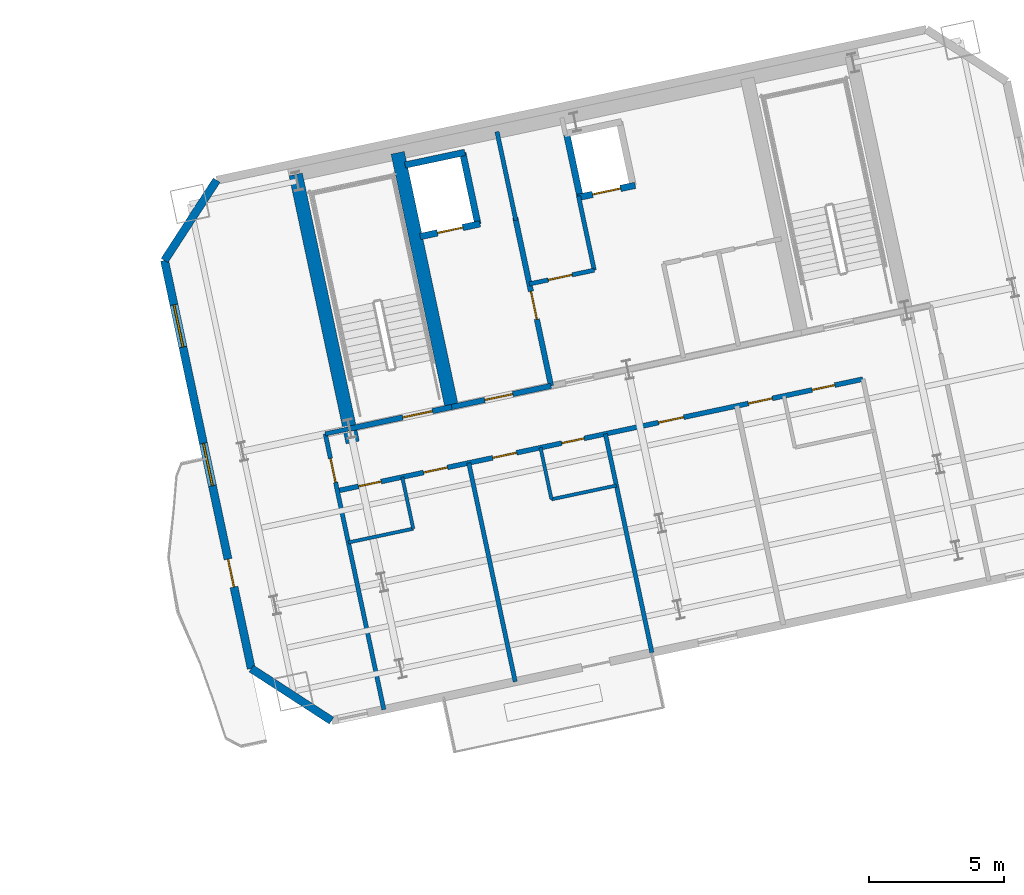
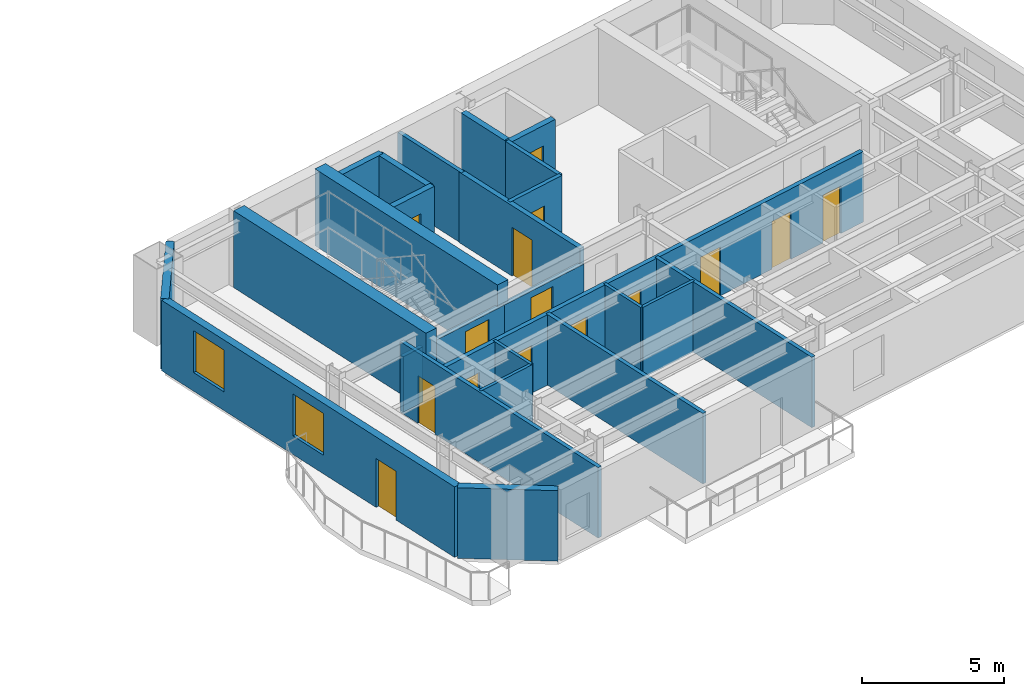
# One storey, part 7 of 13: 25 walls, 15 doors, 2 windows, 17 openings.
"""IFC4 building model written with IfcOpenShell, lengths in metres."""

from ifc_helpers import new_model, si_unit, direction, frame, frame_2d, origin, place, context, subcontext, project, spatial, rectangle, extrude, material, layer, layer_set, type_object, element, fill, save


model = new_model("IFC4")

# Units and contexts
model_context = context("Model", 3, precision=1e-05, world=origin(), true_north=direction((0.0, 1.0)))
body_context = subcontext(model_context, "Body", "Model", "MODEL_VIEW")
ifc_project = project(units=[si_unit("LENGTHUNIT", "METRE"), si_unit("AREAUNIT", "SQUARE_METRE"), si_unit("VOLUMEUNIT", "CUBIC_METRE"), si_unit("PLANEANGLEUNIT", "RADIAN"), si_unit("MASSUNIT", "GRAM", prefix="KILO")], contexts=[model_context])

# Site, building, storey
site_placement = place(None, origin())
site = spatial("IfcSite", under=ifc_project, at=site_placement, CompositionType="ELEMENT")
building_placement = place(site_placement, origin())
building = spatial("IfcBuilding", under=site, at=building_placement, Name="Haevon Station Towers", CompositionType="ELEMENT")
storey_placement = place(building_placement, frame((0.0, 0.0, 159.300048828125)))
storey = spatial("IfcBuildingStorey", under=building, at=storey_placement, Name="L43", CompositionType="ELEMENT", Elevation=159.300048828125)

# Wall, openings, doors
ifc_material_1 = material(Name="Gypsum board on steel stud", Category="steel")
ifc_layer_1 = layer(ifc_material_1, 0.179931640625)
ifc_layer_set_1 = layer_set([ifc_layer_1], Name="Gypsum board on steel stud")
wall_type_1 = type_object("IfcWallType", Name="WL-ACU180", PredefinedType="PARTITIONING", material=ifc_layer_set_1)
wall_1_placement = place(storey_placement, frame((98.294677734375, 35.14697265625, 0.0), z_axis=(0.0, 0.0, 1.0), x_axis=(0.978144966383, 0.207924084078, 0.0)))
wall_1 = element("IfcWall", 1, at=wall_1_placement, inside=storey, type_object=wall_type_1, Name="WL-T2PT-L43-15", PredefinedType="PARTITIONING", context=body_context, shape_type="SweptSolid", body=[
    extrude(rectangle(XDim=19.8447265625, YDim=0.179931640625, at=frame_2d((9.92236328125, 0.0))), origin(), (0.0, 0.0, 1.0), 3.030029296875),
])
opening_1_placement = place(wall_1_placement, frame((0.800048828125, 0.0, 0.0)))
opening_1 = element("IfcOpeningElement", 2, at=opening_1_placement, cuts=wall_1, Name="Opening DR-WL-T2PT-L43-15-01", PredefinedType="OPENING", context=body_context, shape_type="SweptSolid", body=[
    extrude(rectangle(XDim=0.85009765625, YDim=2.050048828125, at=frame_2d((0.425048828125, 1.02490234375))), frame((0.0, 0.099853515625, 0.0), z_axis=(0.0, -1.0, 0.0), x_axis=(1.0, 0.0, 0.0)), (0.0, 0.0, 1.0), 0.199951171875),
])
opening_2_placement = place(wall_1_placement, frame((3.256103515625, 0.0, 0.0)))
opening_2 = element("IfcOpeningElement", 3, at=opening_2_placement, cuts=wall_1, Name="Opening DR-WL-T2PT-L43-15-02", PredefinedType="OPENING", context=body_context, shape_type="SweptSolid", body=[
    extrude(rectangle(XDim=0.89990234375, YDim=2.050048828125, at=frame_2d((0.449951171875, 1.02490234375))), frame((0.0, 0.099853515625, 0.0), z_axis=(0.0, -1.0, 0.0), x_axis=(1.0, 0.0, 0.0)), (0.0, 0.0, 1.0), 0.199951171875),
])
opening_3_placement = place(wall_1_placement, frame((8.470947265625, 0.0, 0.0)))
opening_3 = element("IfcOpeningElement", 4, at=opening_3_placement, cuts=wall_1, Name="Opening DR-WL-T2PT-L43-15-03", PredefinedType="OPENING", context=body_context, shape_type="SweptSolid", body=[
    extrude(rectangle(XDim=0.85009765625, YDim=2.050048828125, at=frame_2d((0.425048828125, 1.02490234375))), frame((0.0, 0.099853515625, 0.0), z_axis=(0.0, -1.0, 0.0), x_axis=(1.0, 0.0, 0.0)), (0.0, 0.0, 1.0), 0.199951171875),
])
opening_4_placement = place(wall_1_placement, frame((5.865966796875, 0.0, 0.0)))
opening_4 = element("IfcOpeningElement", 5, at=opening_4_placement, cuts=wall_1, Name="Opening DR-WL-T2PT-L43-15-04", PredefinedType="OPENING", context=body_context, shape_type="SweptSolid", body=[
    extrude(rectangle(XDim=0.89990234375, YDim=2.050048828125, at=frame_2d((0.449951171875, 1.02490234375))), frame((0.0, 0.099853515625, 0.0), z_axis=(0.0, -1.0, 0.0), x_axis=(1.0, 0.0, 0.0)), (0.0, 0.0, 1.0), 0.199951171875),
])
opening_5_placement = place(wall_1_placement, frame((12.126953125, 0.0, 0.0)))
opening_5 = element("IfcOpeningElement", 6, at=opening_5_placement, cuts=wall_1, Name="Opening DR-WL-T2PT-L43-15-05", PredefinedType="OPENING", context=body_context, shape_type="SweptSolid", body=[
    extrude(rectangle(XDim=0.949951171875, YDim=2.10009765625, at=frame_2d((0.47509765625, 1.050048828125))), frame((0.0, 0.099853515625, 0.0), z_axis=(0.0, -1.0, 0.0), x_axis=(1.0, 0.0, 0.0)), (0.0, 0.0, 1.0), 0.199951171875),
])
opening_6_placement = place(wall_1_placement, frame((17.928955078125, 0.0, 0.0)))
opening_6 = element("IfcOpeningElement", 7, at=opening_6_placement, cuts=wall_1, Name="Opening DR-WL-T2PT-L43-15-06", PredefinedType="OPENING", context=body_context, shape_type="SweptSolid", body=[
    extrude(rectangle(XDim=0.85009765625, YDim=2.050048828125, at=frame_2d((0.425048828125, 1.02490234375))), frame((0.0, 0.099853515625, 0.0), z_axis=(0.0, -1.0, 0.0), x_axis=(1.0, 0.0, 0.0)), (0.0, 0.0, 1.0), 0.199951171875),
])
opening_7_placement = place(wall_1_placement, frame((15.52197265625, 0.0, 0.0)))
opening_7 = element("IfcOpeningElement", 8, at=opening_7_placement, cuts=wall_1, Name="Opening DR-WL-T2PT-L43-15-07", PredefinedType="OPENING", context=body_context, shape_type="SweptSolid", body=[
    extrude(rectangle(XDim=0.89990234375, YDim=2.050048828125, at=frame_2d((0.449951171875, 1.02490234375))), frame((0.0, 0.099853515625, 0.0), z_axis=(0.0, -1.0, 0.0), x_axis=(1.0, 0.0, 0.0)), (0.0, 0.0, 1.0), 0.199951171875),
])
ifc_material_2 = material(Name="Engineered oak timber", Category="wood")
door_type_1 = type_object("IfcDoorType", Name="DR-FD30-850", OperationType="NOTDEFINED", PredefinedType="DOOR", material=ifc_material_2)
door_1_placement = place(opening_1_placement, origin())
door_1 = element("IfcDoor", 9, at=door_1_placement, inside=storey, type_object=door_type_1, Name="L43 Tower 2 Room Door 15-1", OperationType="SINGLE_SWING_RIGHT", OverallHeight=2.050048828125, OverallWidth=0.85009765625, PredefinedType="DOOR", context=body_context, shape_type="SweptSolid", body=[
    extrude(rectangle(XDim=0.85009765625, YDim=2.050048828125, at=frame_2d((0.425048828125, 1.02490234375))), frame((0.0, 0.02490234375, 0.0), z_axis=(0.0, -1.0, 0.0), x_axis=(1.0, 0.0, 0.0)), (0.0, 0.0, 1.0), 0.050048828125),
])
fill(opening_1, door_1)
door_2_placement = place(opening_3_placement, origin())
door_2 = element("IfcDoor", 10, at=door_2_placement, inside=storey, type_object=door_type_1, Name="L43 Tower 2 Room Door 15-3", OperationType="SINGLE_SWING_RIGHT", OverallHeight=2.050048828125, OverallWidth=0.85009765625, PredefinedType="DOOR", context=body_context, shape_type="SweptSolid", body=[
    extrude(rectangle(XDim=0.85009765625, YDim=2.050048828125, at=frame_2d((0.425048828125, 1.02490234375))), frame((0.0, 0.02490234375, 0.0), z_axis=(0.0, -1.0, 0.0), x_axis=(1.0, 0.0, 0.0)), (0.0, 0.0, 1.0), 0.050048828125),
])
fill(opening_3, door_2)
door_3_placement = place(opening_6_placement, origin())
door_3 = element("IfcDoor", 11, at=door_3_placement, inside=storey, type_object=door_type_1, Name="L43 Tower 2 Room Door 15-6", OperationType="SINGLE_SWING_LEFT", OverallHeight=2.050048828125, OverallWidth=0.85009765625, PredefinedType="DOOR", context=body_context, shape_type="SweptSolid", body=[
    extrude(rectangle(XDim=0.85009765625, YDim=2.050048828125, at=frame_2d((0.425048828125, 1.02490234375))), frame((0.0, 0.02490234375, 0.0), z_axis=(0.0, -1.0, 0.0), x_axis=(1.0, 0.0, 0.0)), (0.0, 0.0, 1.0), 0.050048828125),
])
fill(opening_6, door_3)
door_type_2 = type_object("IfcDoorType", Name="DR-FD30-950", OperationType="NOTDEFINED", PredefinedType="DOOR", material=ifc_material_2)
door_4_placement = place(opening_5_placement, origin())
door_4 = element("IfcDoor", 12, at=door_4_placement, inside=storey, type_object=door_type_2, Name="L43 Tower 2 Room Door 15-5", OperationType="SINGLE_SWING_RIGHT", OverallHeight=2.10009765625, OverallWidth=0.949951171875, PredefinedType="DOOR", context=body_context, shape_type="SweptSolid", body=[
    extrude(rectangle(XDim=0.949951171875, YDim=2.10009765625, at=frame_2d((0.47509765625, 1.050048828125))), frame((0.0, 0.02490234375, 0.0), z_axis=(0.0, -1.0, 0.0), x_axis=(1.0, 0.0, 0.0)), (0.0, 0.0, 1.0), 0.050048828125),
])
fill(opening_5, door_4)
door_type_3 = type_object("IfcDoorType", Name="DR-INT-900", OperationType="NOTDEFINED", PredefinedType="DOOR", material=ifc_material_2)
door_5_placement = place(opening_2_placement, origin())
door_5 = element("IfcDoor", 13, at=door_5_placement, inside=storey, type_object=door_type_3, Name="L43 Tower 2 Room Door 15-2", OperationType="SINGLE_SWING_LEFT", OverallHeight=2.050048828125, OverallWidth=0.89990234375, PredefinedType="DOOR", context=body_context, shape_type="SweptSolid", body=[
    extrude(rectangle(XDim=0.89990234375, YDim=2.050048828125, at=frame_2d((0.449951171875, 1.02490234375))), frame((0.0, 0.02490234375, 0.0), z_axis=(0.0, -1.0, 0.0), x_axis=(1.0, 0.0, 0.0)), (0.0, 0.0, 1.0), 0.050048828125),
])
fill(opening_2, door_5)
door_6_placement = place(opening_4_placement, origin())
door_6 = element("IfcDoor", 14, at=door_6_placement, inside=storey, type_object=door_type_3, Name="L43 Tower 2 Room Door 15-4", OperationType="SINGLE_SWING_LEFT", OverallHeight=2.050048828125, OverallWidth=0.89990234375, PredefinedType="DOOR", context=body_context, shape_type="SweptSolid", body=[
    extrude(rectangle(XDim=0.89990234375, YDim=2.050048828125, at=frame_2d((0.449951171875, 1.02490234375))), frame((0.0, 0.02490234375, 0.0), z_axis=(0.0, -1.0, 0.0), x_axis=(1.0, 0.0, 0.0)), (0.0, 0.0, 1.0), 0.050048828125),
])
fill(opening_4, door_6)
door_7_placement = place(opening_7_placement, origin())
door_7 = element("IfcDoor", 15, at=door_7_placement, inside=storey, type_object=door_type_3, Name="L43 Tower 2 Room Door 15-7", OperationType="SINGLE_SWING_RIGHT", OverallHeight=2.050048828125, OverallWidth=0.89990234375, PredefinedType="DOOR", context=body_context, shape_type="SweptSolid", body=[
    extrude(rectangle(XDim=0.89990234375, YDim=2.050048828125, at=frame_2d((0.449951171875, 1.02490234375))), frame((0.0, 0.02490234375, 0.0), z_axis=(0.0, -1.0, 0.0), x_axis=(1.0, 0.0, 0.0)), (0.0, 0.0, 1.0), 0.050048828125),
])
fill(opening_7, door_7)

# Wall, opening, door
ifc_layer_2 = layer(ifc_material_1, 0.199951171875)
ifc_layer_set_2 = layer_set([ifc_layer_2], Name="Gypsum board on steel stud")
wall_type_2 = type_object("IfcWallType", Name="WL-COR200", PredefinedType="PARTITIONING", material=ifc_layer_set_2)
wall_2_placement = place(storey_placement, frame((98.75244140625, 37.4423828125, 0.0), z_axis=(0.0, 0.0, 1.0), x_axis=(0.978143537786, 0.207930804564, 0.0)))
wall_2 = element("IfcWall", 16, at=wall_2_placement, inside=storey, type_object=wall_type_2, Name="WL-ST-ST3-L43", PredefinedType="PARTITIONING", context=body_context, shape_type="SweptSolid", body=[
    extrude(rectangle(XDim=3.85009765625, YDim=0.199951171875, at=frame_2d((1.925048828125, 0.0))), origin(), (0.0, 0.0, 1.0), 2.3798828125),
])
opening_8_placement = place(wall_2_placement, frame((2.0, 0.0, 0.0)))
opening_8 = element("IfcOpeningElement", 17, at=opening_8_placement, cuts=wall_2, Name="Opening DR-ST-ST3-L43", PredefinedType="OPENING", context=body_context, shape_type="SweptSolid", body=[
    extrude(rectangle(XDim=1.1201171875, YDim=2.10009765625, at=frame_2d((0.56005859375, 1.050048828125))), frame((0.0, 0.10986328125, 0.0), z_axis=(0.0, -1.0, 0.0), x_axis=(1.0, 0.0, 0.0)), (0.0, 0.0, 1.0), 0.219970703125),
])
door_type_4 = type_object("IfcDoorType", Name="DR-ST-1120", OperationType="NOTDEFINED", PredefinedType="DOOR", material=ifc_material_2)
door_8_placement = place(opening_8_placement, origin())
door_8 = element("IfcDoor", 18, at=door_8_placement, inside=storey, type_object=door_type_4, Name="L43 Escape Stair ST3 Fire Door", OperationType="SINGLE_SWING_LEFT", OverallHeight=2.10009765625, OverallWidth=1.1201171875, PredefinedType="DOOR", context=body_context, shape_type="SweptSolid", body=[
    extrude(rectangle(XDim=1.1201171875, YDim=2.10009765625, at=frame_2d((0.56005859375, 1.050048828125))), frame((0.0, 0.02490234375, 0.0), z_axis=(0.0, -1.0, 0.0), x_axis=(1.0, 0.0, 0.0)), (0.0, 0.0, 1.0), 0.050048828125),
])
fill(opening_8, door_8)

wall_3_placement = place(storey_placement, frame((106.186279296875, 39.0224609375, 0.0), z_axis=(0.0, 0.0, 1.0), x_axis=(-0.207916691923, 0.978146537703, 0.0)))
wall_3 = element("IfcWall", 19, at=wall_3_placement, inside=storey, type_object=wall_type_2, Name="WL-T2FFL-L43-E", PredefinedType="PARTITIONING", context=body_context, shape_type="SweptSolid", body=[
    extrude(rectangle(XDim=6.35009765625, YDim=0.199951171875, at=frame_2d((3.175048828125, 0.0))), origin(), (0.0, 0.0, 1.0), 3.030029296875),
])
opening_9_placement = place(wall_3_placement, frame((2.52001953125, 0.0, 0.0)))
opening_9 = element("IfcOpeningElement", 20, at=opening_9_placement, cuts=wall_3, Name="Opening DR-T2FFL-L43-E", PredefinedType="OPENING", context=body_context, shape_type="SweptSolid", body=[
    extrude(rectangle(XDim=1.050048828125, YDim=2.10009765625, at=frame_2d((0.52490234375, 1.050048828125))), frame((0.0, 0.10986328125, 0.0), z_axis=(0.0, -1.0, 0.0), x_axis=(1.0, 0.0, 0.0)), (0.0, 0.0, 1.0), 0.219970703125),
])
door_type_5 = type_object("IfcDoorType", Name="DR-FD60-1050", OperationType="NOTDEFINED", PredefinedType="DOOR", material=ifc_material_2)
door_9_placement = place(opening_9_placement, origin())
door_9 = element("IfcDoor", 21, at=door_9_placement, inside=storey, type_object=door_type_5, Name="L43 Tower 2 Firefighting Lift Lobby Door E", OperationType="SINGLE_SWING_LEFT", OverallHeight=2.10009765625, OverallWidth=1.050048828125, PredefinedType="DOOR", context=body_context, shape_type="SweptSolid", body=[
    extrude(rectangle(XDim=1.050048828125, YDim=2.10009765625, at=frame_2d((0.52490234375, 1.050048828125))), frame((0.0, 0.02490234375, 0.0), z_axis=(0.0, -1.0, 0.0), x_axis=(1.0, 0.0, 0.0)), (0.0, 0.0, 1.0), 0.050048828125),
])
fill(opening_9, door_9)

wall_4_placement = place(storey_placement, frame((102.518310546875, 38.242919921875, 0.0), z_axis=(0.0, 0.0, 1.0), x_axis=(0.978153555683, 0.20788367301, 0.0)))
wall_4 = element("IfcWall", 22, at=wall_4_placement, inside=storey, type_object=wall_type_2, Name="WL-T2FFL-L43-S", PredefinedType="PARTITIONING", context=body_context, shape_type="SweptSolid", body=[
    extrude(rectangle(XDim=3.75, YDim=0.199951171875, at=frame_2d((1.875, 0.0))), origin(), (0.0, 0.0, 1.0), 2.3798828125),
])
opening_10_placement = place(wall_4_placement, frame((1.25, 0.0, 0.0)))
opening_10 = element("IfcOpeningElement", 23, at=opening_10_placement, cuts=wall_4, Name="Opening DR-T2FFL-L43-S", PredefinedType="OPENING", context=body_context, shape_type="SweptSolid", body=[
    extrude(rectangle(XDim=1.050048828125, YDim=2.10009765625, at=frame_2d((0.52490234375, 1.050048828125))), frame((0.0, 0.10986328125, 0.0), z_axis=(0.0, -1.0, 0.0), x_axis=(1.0, 0.0, 0.0)), (0.0, 0.0, 1.0), 0.219970703125),
])
door_10_placement = place(opening_10_placement, origin())
door_10 = element("IfcDoor", 24, at=door_10_placement, inside=storey, type_object=door_type_5, Name="L43 Tower 2 Firefighting Lift Lobby Door S", OperationType="SINGLE_SWING_RIGHT", OverallHeight=2.10009765625, OverallWidth=1.050048828125, PredefinedType="DOOR", context=body_context, shape_type="SweptSolid", body=[
    extrude(rectangle(XDim=1.050048828125, YDim=2.10009765625, at=frame_2d((0.52490234375, 1.050048828125))), frame((0.0, 0.02490234375, 0.0), z_axis=(0.0, -1.0, 0.0), x_axis=(1.0, 0.0, 0.0)), (0.0, 0.0, 1.0), 0.050048828125),
])
fill(opening_10, door_10)

# Walls
ifc_material_3 = material(Name="Concrete C60/75", Category="concrete")
ifc_layer_3 = layer(ifc_material_3, 0.5)
ifc_layer_set_3 = layer_set([ifc_layer_3], Name="Concrete C60/75")
wall_type_3 = type_object("IfcWallType", Name="WL-CR500", PredefinedType="SHEAR", material=ifc_layer_set_3)
wall_5_placement = place(storey_placement, frame((98.8603515625, 36.933837890625, 0.0), z_axis=(0.0, 0.0, 1.0), x_axis=(-0.20790924889, 0.978148119778, 0.0)))
element("IfcWall", 25, at=wall_5_placement, inside=storey, type_object=wall_type_3, Name="WL-T2CR-L43-W", PredefinedType="SHEAR", context=body_context, shape_type="SweptSolid", body=[
    extrude(rectangle(XDim=10.119873046875, YDim=0.5, at=frame_2d((5.06005859375, 0.0))), origin(), (0.0, 0.0, 1.0), 3.300048828125),
])
wall_6_placement = place(storey_placement, frame((102.518310546875, 38.242919921875, 0.0), z_axis=(0.0, 0.0, 1.0), x_axis=(-0.207927495108, 0.978144241295, 0.0)))
element("IfcWall", 26, at=wall_6_placement, inside=storey, type_object=wall_type_3, Name="WL-T2CR-L43-M1", PredefinedType="SHEAR", context=body_context, shape_type="SweptSolid", body=[
    extrude(rectangle(XDim=9.599853515625, YDim=0.5, at=frame_2d((4.7998046875, 0.0))), origin(), (0.0, 0.0, 1.0), 3.300048828125),
])
ifc_material_4 = material(Name="Precast concrete C45/55", Category="concrete")
ifc_layer_4 = layer(ifc_material_4, 0.300048828125)
ifc_layer_set_4 = layer_set([ifc_layer_4], Name="Precast concrete C45/55")
wall_type_4 = type_object("IfcWallType", Name="WL-EXT-PIER300", PredefinedType="SOLIDWALL", material=ifc_layer_set_4)
wall_7_placement = place(storey_placement, frame((98.080078125, 26.656982421875, 0.0), z_axis=(0.0, 0.0, 1.0), x_axis=(-0.838672309694, 0.544636352948, 0.0)))
element("IfcWall", 27, at=wall_7_placement, inside=storey, type_object=wall_type_4, Name="WL-T2-L43-SWC", PredefinedType="SOLIDWALL", context=body_context, shape_type="SweptSolid", body=[
    extrude(rectangle(XDim=3.535400390625, YDim=0.300048828125, at=frame_2d((1.767578125, 0.0))), origin(), (0.0, 0.0, 1.0), 3.030029296875),
])

# Wall, openings, door, windows
wall_8_placement = place(storey_placement, frame((95.114990234375, 28.58251953125, 0.0), z_axis=(0.0, 0.0, 1.0), x_axis=(-0.207908020757, 0.978148380822, 0.0)))
wall_8 = element("IfcWall", 28, at=wall_8_placement, inside=storey, type_object=wall_type_4, Name="WL-T2-L43-W", PredefinedType="SOLIDWALL", context=body_context, shape_type="SweptSolid", body=[
    extrude(rectangle(XDim=15.409912109375, YDim=0.300048828125, at=frame_2d((7.705078125, 0.0))), origin(), (0.0, 0.0, 1.0), 3.030029296875),
])
opening_11_placement = place(wall_8_placement, frame((3.080078125, 0.0, 0.0)))
opening_11 = element("IfcOpeningElement", 29, at=opening_11_placement, cuts=wall_8, Name="Opening DR-T2-SCAL-L43-W", PredefinedType="OPENING", context=body_context, shape_type="SweptSolid", body=[
    extrude(rectangle(XDim=1.050048828125, YDim=2.10009765625, at=frame_2d((0.52490234375, 1.050048828125))), frame((0.0, 0.159912109375, 0.0), z_axis=(0.0, -1.0, 0.0), x_axis=(1.0, 0.0, 0.0)), (0.0, 0.0, 1.0), 0.320068359375),
])
opening_12_placement = place(wall_8_placement, frame((6.905029296875, 0.0, 0.800048828125)))
opening_12 = element("IfcOpeningElement", 30, at=opening_12_placement, cuts=wall_8, Name="Opening WN-END160", PredefinedType="OPENING", context=body_context, shape_type="SweptSolid", body=[
    extrude(rectangle(XDim=1.60009765625, YDim=1.800048828125, at=frame_2d((0.800048828125, 0.89990234375))), frame((0.0, 0.159912109375, 0.0), z_axis=(0.0, -1.0, 0.0), x_axis=(1.0, 0.0, 0.0)), (0.0, 0.0, 1.0), 0.320068359375),
])
opening_13_placement = place(wall_8_placement, frame((12.137939453125, 0.0, 0.800048828125)))
opening_13 = element("IfcOpeningElement", 31, at=opening_13_placement, cuts=wall_8, Name="Opening WN-END160", PredefinedType="OPENING", context=body_context, shape_type="SweptSolid", body=[
    extrude(rectangle(XDim=1.60009765625, YDim=1.800048828125, at=frame_2d((0.800048828125, 0.89990234375))), frame((0.0, 0.159912109375, 0.0), z_axis=(0.0, -1.0, 0.0), x_axis=(1.0, 0.0, 0.0)), (0.0, 0.0, 1.0), 0.320068359375),
])
ifc_material_5 = material(Name="Thermally broken anodised aluminium and laminated safety glass", Category="aluminium")
door_type_6 = type_object("IfcDoorType", Name="DR-BALC-1050", OperationType="NOTDEFINED", PredefinedType="DOOR", material=ifc_material_5)
door_11_placement = place(opening_11_placement, origin())
door_11 = element("IfcDoor", 32, at=door_11_placement, inside=storey, type_object=door_type_6, Name="Tower 2 L43 West Scalloped Balcony Door", OperationType="SINGLE_SWING_LEFT", OverallHeight=2.10009765625, OverallWidth=1.050048828125, PredefinedType="DOOR", context=body_context, shape_type="SweptSolid", body=[
    extrude(rectangle(XDim=1.050048828125, YDim=2.10009765625, at=frame_2d((0.52490234375, 1.050048828125))), frame((0.0, 0.02490234375, 0.0), z_axis=(0.0, -1.0, 0.0), x_axis=(1.0, 0.0, 0.0)), (0.0, 0.0, 1.0), 0.050048828125),
])
fill(opening_11, door_11)
ifc_material_6 = material(Name="Low-E triple glazing in thermally broken aluminium", Category="aluminium")
window_type = type_object("IfcWindowType", Name="WN-END160", PartitioningType="SINGLE_PANEL", PredefinedType="WINDOW", material=ifc_material_6)
window_1_placement = place(opening_12_placement, origin())
window_1 = element("IfcWindow", 33, at=window_1_placement, inside=storey, type_object=window_type, Name="WN-T2-L43-W01", OverallHeight=1.800048828125, OverallWidth=1.60009765625, PartitioningType="SINGLE_PANEL", PredefinedType="WINDOW", context=body_context, shape_type="SweptSolid", body=[
    extrude(rectangle(XDim=1.60009765625, YDim=1.800048828125, at=frame_2d((0.800048828125, 0.89990234375))), frame((0.0, 0.030029296875, 0.0), z_axis=(0.0, -1.0, 0.0), x_axis=(1.0, 0.0, 0.0)), (0.0, 0.0, 1.0), 0.06005859375),
])
fill(opening_12, window_1)
window_2_placement = place(opening_13_placement, origin())
window_2 = element("IfcWindow", 34, at=window_2_placement, inside=storey, type_object=window_type, Name="WN-T2-L43-W02", OverallHeight=1.800048828125, OverallWidth=1.60009765625, PartitioningType="SINGLE_PANEL", PredefinedType="WINDOW", context=body_context, shape_type="SweptSolid", body=[
    extrude(rectangle(XDim=1.60009765625, YDim=1.800048828125, at=frame_2d((0.800048828125, 0.89990234375))), frame((0.0, 0.030029296875, 0.0), z_axis=(0.0, -1.0, 0.0), x_axis=(1.0, 0.0, 0.0)), (0.0, 0.0, 1.0), 0.06005859375),
])
fill(opening_13, window_2)

# Walls
wall_9_placement = place(storey_placement, frame((91.9111328125, 43.65576171875, 0.0), z_axis=(0.0, 0.0, 1.0), x_axis=(0.544636352948, 0.838672309694, 0.0)))
element("IfcWall", 35, at=wall_9_placement, inside=storey, type_object=wall_type_4, Name="WL-T2-L43-NWC", PredefinedType="SOLIDWALL", context=body_context, shape_type="SweptSolid", body=[
    extrude(rectangle(XDim=3.535400390625, YDim=0.300048828125, at=frame_2d((1.767578125, 0.0))), origin(), (0.0, 0.0, 1.0), 3.030029296875),
])
ifc_layer_5 = layer(ifc_material_1, 0.125)
ifc_layer_set_5 = layer_set([ifc_layer_5], Name="Gypsum board on steel stud")
wall_type_5 = type_object("IfcWallType", Name="WL-PRT125", PredefinedType="PARTITIONING", material=ifc_layer_set_5)
wall_10_placement = place(storey_placement, frame((98.699951171875, 33.23974609375, 0.0), z_axis=(0.0, 0.0, 1.0), x_axis=(0.978156824814, 0.207868290196, 0.0)))
element("IfcWall", 36, at=wall_10_placement, inside=storey, type_object=wall_type_5, Name="WL-T2PT-L43-06", PredefinedType="PARTITIONING", context=body_context, shape_type="SweptSolid", body=[
    extrude(rectangle(XDim=2.449951171875, YDim=0.125, at=frame_2d((1.22509765625, 0.0))), origin(), (0.0, 0.0, 1.0), 3.030029296875),
])
wall_11_placement = place(storey_placement, frame((101.096435546875, 33.7490234375, 0.0), z_axis=(0.0, 0.0, 1.0), x_axis=(-0.207947096322, 0.978140074392, 0.0)))
element("IfcWall", 37, at=wall_11_placement, inside=storey, type_object=wall_type_5, Name="WL-T2PT-L43-07", PredefinedType="PARTITIONING", context=body_context, shape_type="SweptSolid", body=[
    extrude(rectangle(XDim=1.9501953125, YDim=0.125, at=frame_2d((0.97509765625, 0.0))), origin(), (0.0, 0.0, 1.0), 3.030029296875),
])
wall_12_placement = place(storey_placement, frame((106.203369140625, 34.83447265625, 0.0), z_axis=(0.0, 0.0, 1.0), x_axis=(0.978136559131, 0.207963630695, 0.0)))
element("IfcWall", 38, at=wall_12_placement, inside=storey, type_object=wall_type_5, Name="WL-T2PT-L43-09", PredefinedType="PARTITIONING", context=body_context, shape_type="SweptSolid", body=[
    extrude(rectangle(XDim=2.449951171875, YDim=0.125, at=frame_2d((1.22509765625, 0.0))), origin(), (0.0, 0.0, 1.0), 3.030029296875),
])
wall_13_placement = place(storey_placement, frame((106.203369140625, 34.83447265625, 0.0), z_axis=(0.0, 0.0, 1.0), x_axis=(-0.207947096322, 0.978140074392, 0.0)))
element("IfcWall", 39, at=wall_13_placement, inside=storey, type_object=wall_type_5, Name="WL-T2PT-L43-10", PredefinedType="PARTITIONING", context=body_context, shape_type="SweptSolid", body=[
    extrude(rectangle(XDim=1.9501953125, YDim=0.125, at=frame_2d((0.97509765625, 0.0))), origin(), (0.0, 0.0, 1.0), 3.030029296875),
])
ifc_layer_6 = layer(ifc_material_1, 0.159912109375)
ifc_layer_set_6 = layer_set([ifc_layer_6], Name="Gypsum board on steel stud")
wall_type_6 = type_object("IfcWallType", Name="WL-PRT160", PredefinedType="PARTITIONING", material=ifc_layer_set_6)
wall_14_placement = place(storey_placement, frame((104.88671875, 45.135986328125, 0.0), z_axis=(0.0, 0.0, 1.0), x_axis=(-0.207846553267, 0.978161443881, 0.0)))
element("IfcWall", 40, at=wall_14_placement, inside=storey, type_object=wall_type_6, Name="WL-T2CW-L43-01", PredefinedType="PARTITIONING", context=body_context, shape_type="SweptSolid", body=[
    extrude(rectangle(XDim=3.35009765625, YDim=0.159912109375, at=frame_2d((1.675048828125, 0.0))), origin(), (0.0, 0.0, 1.0), 3.030029296875),
])

# Wall, opening, door
wall_15_placement = place(storey_placement, frame((105.3857421875, 42.788330078125, 0.0), z_axis=(0.0, 0.0, 1.0), x_axis=(0.978136559131, 0.207963630695, 0.0)))
wall_15 = element("IfcWall", 41, at=wall_15_placement, inside=storey, type_object=wall_type_6, Name="WL-T2CW-L43-02", PredefinedType="PARTITIONING", context=body_context, shape_type="SweptSolid", body=[
    extrude(rectangle(XDim=2.449951171875, YDim=0.159912109375, at=frame_2d((1.22509765625, 0.0))), origin(), (0.0, 0.0, 1.0), 3.030029296875),
])
opening_14_placement = place(wall_15_placement, frame((0.719970703125, 0.0, 0.0)))
opening_14 = element("IfcOpeningElement", 42, at=opening_14_placement, cuts=wall_15, Name="Opening DR-WL-T2CW-L43-02-1", PredefinedType="OPENING", context=body_context, shape_type="SweptSolid", body=[
    extrude(rectangle(XDim=0.89990234375, YDim=2.10009765625, at=frame_2d((0.449951171875, 1.050048828125))), frame((0.0, 0.08984375, 0.0), z_axis=(0.0, -1.0, 0.0), x_axis=(1.0, 0.0, 0.0)), (0.0, 0.0, 1.0), 0.179931640625),
])
door_type_7 = type_object("IfcDoorType", Name="DR-FD60-900", OperationType="NOTDEFINED", PredefinedType="DOOR", material=ifc_material_2)
door_12_placement = place(opening_14_placement, origin())
door_12 = element("IfcDoor", 43, at=door_12_placement, inside=storey, type_object=door_type_7, Name="L43 Tower 2 Core Room Door 2-1", OperationType="SINGLE_SWING_LEFT", OverallHeight=2.10009765625, OverallWidth=0.89990234375, PredefinedType="DOOR", context=body_context, shape_type="SweptSolid", body=[
    extrude(rectangle(XDim=0.89990234375, YDim=2.10009765625, at=frame_2d((0.449951171875, 1.050048828125))), frame((0.0, 0.02490234375, 0.0), z_axis=(0.0, -1.0, 0.0), x_axis=(1.0, 0.0, 0.0)), (0.0, 0.0, 1.0), 0.050048828125),
])
fill(opening_14, door_12)

# Walls
wall_16_placement = place(storey_placement, frame((107.7822265625, 43.2978515625, 0.0), z_axis=(0.0, 0.0, 1.0), x_axis=(-0.207873355681, 0.978155748334, 0.0)))
element("IfcWall", 44, at=wall_16_placement, inside=storey, type_object=wall_type_6, Name="WL-T2CW-L43-03", PredefinedType="PARTITIONING", context=body_context, shape_type="SweptSolid", body=[
    extrude(rectangle(XDim=2.800048828125, YDim=0.159912109375, at=frame_2d((1.39990234375, 0.0))), origin(), (0.0, 0.0, 1.0), 3.030029296875),
])
wall_17_placement = place(storey_placement, frame((97.84765625, 37.25, 0.0), z_axis=(0.0, 0.0, 1.0), x_axis=(0.978133353907, 0.20797870558, 0.0)))
element("IfcWall", 45, at=wall_17_placement, inside=storey, type_object=wall_type_6, Name="WL-T2PT-L43-02", PredefinedType="PARTITIONING", context=body_context, shape_type="SweptSolid", body=[
    extrude(rectangle(XDim=0.925048828125, YDim=0.159912109375, at=frame_2d((0.46240234375, 0.0))), origin(), (0.0, 0.0, 1.0), 2.3798828125),
])

# Wall, opening, door
wall_18_placement = place(storey_placement, frame((100.011962890625, 27.067626953125, 0.0), z_axis=(0.0, 0.0, 1.0), x_axis=(-0.207909525055, 0.978148061078, 0.0)))
wall_18 = element("IfcWall", 46, at=wall_18_placement, inside=storey, type_object=wall_type_6, Name="WL-T2PT-L43-04", PredefinedType="PARTITIONING", context=body_context, shape_type="SweptSolid", body=[
    extrude(rectangle(XDim=10.409912109375, YDim=0.159912109375, at=frame_2d((5.205078125, 0.0))), origin(), (0.0, 0.0, 1.0), 3.030029296875),
])
opening_15_placement = place(wall_18_placement, frame((8.580078125, 0.0, 0.0)))
opening_15 = element("IfcOpeningElement", 47, at=opening_15_placement, cuts=wall_18, Name="Opening DR-WL-T2PT-L43-04-01", PredefinedType="OPENING", context=body_context, shape_type="SweptSolid", body=[
    extrude(rectangle(XDim=0.89990234375, YDim=2.050048828125, at=frame_2d((0.449951171875, 1.02490234375))), frame((0.0, 0.08984375, 0.0), z_axis=(0.0, -1.0, 0.0), x_axis=(1.0, 0.0, 0.0)), (0.0, 0.0, 1.0), 0.179931640625),
])
door_13_placement = place(opening_15_placement, origin())
door_13 = element("IfcDoor", 48, at=door_13_placement, inside=storey, type_object=door_type_3, Name="L43 Tower 2 Room Door 4-1", OperationType="SINGLE_SWING_RIGHT", OverallHeight=2.050048828125, OverallWidth=0.89990234375, PredefinedType="DOOR", context=body_context, shape_type="SweptSolid", body=[
    extrude(rectangle(XDim=0.89990234375, YDim=2.050048828125, at=frame_2d((0.449951171875, 1.02490234375))), frame((0.0, 0.02490234375, 0.0), z_axis=(0.0, -1.0, 0.0), x_axis=(1.0, 0.0, 0.0)), (0.0, 0.0, 1.0), 0.050048828125),
])
fill(opening_15, door_13)

# Walls
for number, where, z_axis, x_axis, name in (
    (49, (104.86474609375, 28.09912109375, 0.0), (0.0, 0.0, 1.0), (-0.207907892961, 0.978148407985, 0.0), "WL-T2PT-L43-08"),
    (50, (109.91162109375, 29.171875, 0.0), (0.0, 0.0, 1.0), (-0.207907892961, 0.978148407985, 0.0), "WL-T2PT-L43-11"),
):
    element("IfcWall", number, at=place(storey_placement, frame(where, z_axis=z_axis, x_axis=x_axis)), inside=storey, type_object=wall_type_6, Name=name, PredefinedType="PARTITIONING", context=body_context, shape_type="SweptSolid", body=[
        extrude(rectangle(XDim=8.259765625, YDim=0.159912109375, at=frame_2d((4.1298828125, 0.0))), origin(), (0.0, 0.0, 1.0), 3.030029296875),
    ])

# Wall, opening, door
ifc_material_7 = material(Name="Concrete C40/50", Category="concrete")
ifc_layer_7 = layer(ifc_material_7, 0.239990234375)
ifc_layer_set_7 = layer_set([ifc_layer_7], Name="Concrete C40/50")
wall_type_7 = type_object("IfcWallType", Name="WL-SHF240", PredefinedType="PARTITIONING", material=ifc_layer_set_7)
wall_19_placement = place(storey_placement, frame((101.353759765625, 44.538330078125, 0.0), z_axis=(0.0, 0.0, 1.0), x_axis=(0.978141002414, 0.207942731049, 0.0)))
wall_19 = element("IfcWall", 51, at=wall_19_placement, inside=storey, type_object=wall_type_7, Name="WL-SHF-FL2-L43", PredefinedType="PARTITIONING", context=body_context, shape_type="SweptSolid", body=[
    extrude(rectangle(XDim=2.260009765625, YDim=0.239990234375, at=frame_2d((1.1298828125, 0.0))), origin(), (0.0, 0.0, 1.0), 3.030029296875),
])
opening_16_placement = place(wall_19_placement, frame((0.655029296875, 0.0, 0.0)))
opening_16 = element("IfcOpeningElement", 52, at=opening_16_placement, cuts=wall_19, Name="Opening LD-FL2-L43", PredefinedType="OPENING", context=body_context, shape_type="SweptSolid", body=[
    extrude(rectangle(XDim=0.949951171875, YDim=2.14990234375, at=frame_2d((0.47509765625, 1.074951171875))), frame((0.0, 0.1298828125, 0.0), z_axis=(0.0, -1.0, 0.0), x_axis=(1.0, 0.0, 0.0)), (0.0, 0.0, 1.0), 0.260009765625),
])
ifc_material_8 = material(Name="Stainless steel and rated core", Category="steel")
door_type_8 = type_object("IfcDoorType", Name="LD-FL950", OperationType="SLIDING_TO_LEFT", PredefinedType="DOOR", material=ifc_material_8)
door_14_placement = place(opening_16_placement, origin())
door_14 = element("IfcDoor", 53, at=door_14_placement, inside=storey, type_object=door_type_8, Name="L43 Lift FL2 Sliding Landing Door", OperationType="SLIDING_TO_LEFT", OverallHeight=2.14990234375, OverallWidth=0.949951171875, PredefinedType="DOOR", context=body_context, shape_type="SweptSolid", body=[
    extrude(rectangle(XDim=0.949951171875, YDim=2.14990234375, at=frame_2d((0.47509765625, 1.074951171875))), frame((0.0, 0.02490234375, 0.0), z_axis=(0.0, -1.0, 0.0), x_axis=(1.0, 0.0, 0.0)), (0.0, 0.0, 1.0), 0.050048828125),
])
fill(opening_16, door_14)

# Walls
wall_20_placement = place(storey_placement, frame((100.79248046875, 47.179443359375, 0.0), z_axis=(0.0, 0.0, 1.0), x_axis=(0.978162968872, 0.207839376268, 0.0)))
element("IfcWall", 54, at=wall_20_placement, inside=storey, type_object=wall_type_7, Name="WL-SHF-FL2-L43-N", PredefinedType="PARTITIONING", context=body_context, shape_type="SweptSolid", body=[
    extrude(rectangle(XDim=2.260009765625, YDim=0.239990234375, at=frame_2d((1.1298828125, 0.0))), origin(), (0.0, 0.0, 1.0), 3.030029296875),
])
wall_21_placement = place(storey_placement, frame((103.486328125, 44.99169921875, 0.0), z_axis=(0.0, 0.0, 1.0), x_axis=(-0.207978798957, 0.978133334052, 0.0)))
element("IfcWall", 55, at=wall_21_placement, inside=storey, type_object=wall_type_7, Name="WL-SHF-FL2-L43-E", PredefinedType="PARTITIONING", context=body_context, shape_type="SweptSolid", body=[
    extrude(rectangle(XDim=2.699951171875, YDim=0.239990234375, at=frame_2d((1.35009765625, 0.0))), origin(), (0.0, 0.0, 1.0), 3.030029296875),
])

# Wall, opening, door
wall_22_placement = place(storey_placement, frame((107.18115234375, 45.9814453125, 0.0), z_axis=(0.0, 0.0, 1.0), x_axis=(0.97813528961, 0.207969601673, 0.0)))
wall_22 = element("IfcWall", 56, at=wall_22_placement, inside=storey, type_object=wall_type_7, Name="WL-SHF-PL8-L43", PredefinedType="PARTITIONING", context=body_context, shape_type="SweptSolid", body=[
    extrude(rectangle(XDim=2.159912109375, YDim=0.239990234375, at=frame_2d((1.080078125, 0.0))), origin(), (0.0, 0.0, 1.0), 3.030029296875),
])
opening_17_placement = place(wall_22_placement, frame((0.554931640625, 0.0, 0.0)))
opening_17 = element("IfcOpeningElement", 57, at=opening_17_placement, cuts=wall_22, Name="Opening LD-PL8-L43", PredefinedType="OPENING", context=body_context, shape_type="SweptSolid", body=[
    extrude(rectangle(XDim=1.050048828125, YDim=2.14990234375, at=frame_2d((0.52490234375, 1.074951171875))), frame((0.0, 0.1298828125, 0.0), z_axis=(0.0, -1.0, 0.0), x_axis=(1.0, 0.0, 0.0)), (0.0, 0.0, 1.0), 0.260009765625),
])
door_type_9 = type_object("IfcDoorType", Name="LD-PL1050", OperationType="SLIDING_TO_LEFT", PredefinedType="DOOR", material=ifc_material_8)
door_15_placement = place(opening_17_placement, origin())
door_15 = element("IfcDoor", 58, at=door_15_placement, inside=storey, type_object=door_type_9, Name="L43 Lift PL8 Sliding Landing Door", OperationType="SLIDING_TO_LEFT", OverallHeight=2.14990234375, OverallWidth=1.050048828125, PredefinedType="DOOR", context=body_context, shape_type="SweptSolid", body=[
    extrude(rectangle(XDim=1.050048828125, YDim=2.14990234375, at=frame_2d((0.52490234375, 1.074951171875))), frame((0.0, 0.02490234375, 0.0), z_axis=(0.0, -1.0, 0.0), x_axis=(1.0, 0.0, 0.0)), (0.0, 0.0, 1.0), 0.050048828125),
])
fill(opening_17, door_15)

# Wall
wall_23_placement = place(storey_placement, frame((107.259521484375, 45.998046875, 0.0), z_axis=(0.0, 0.0, 1.0), x_axis=(-0.207917150959, 0.978146440129, 0.0)))
element("IfcWall", 59, at=wall_23_placement, inside=storey, type_object=wall_type_7, Name="WL-SHF-PL8-L43-W", PredefinedType="PARTITIONING", context=body_context, shape_type="SweptSolid", body=[
    extrude(rectangle(XDim=2.400146484375, YDim=0.239990234375, at=frame_2d((1.2001953125, 0.0))), origin(), (0.0, 0.0, 1.0), 3.030029296875),
])

save(model, "model.ifc")
